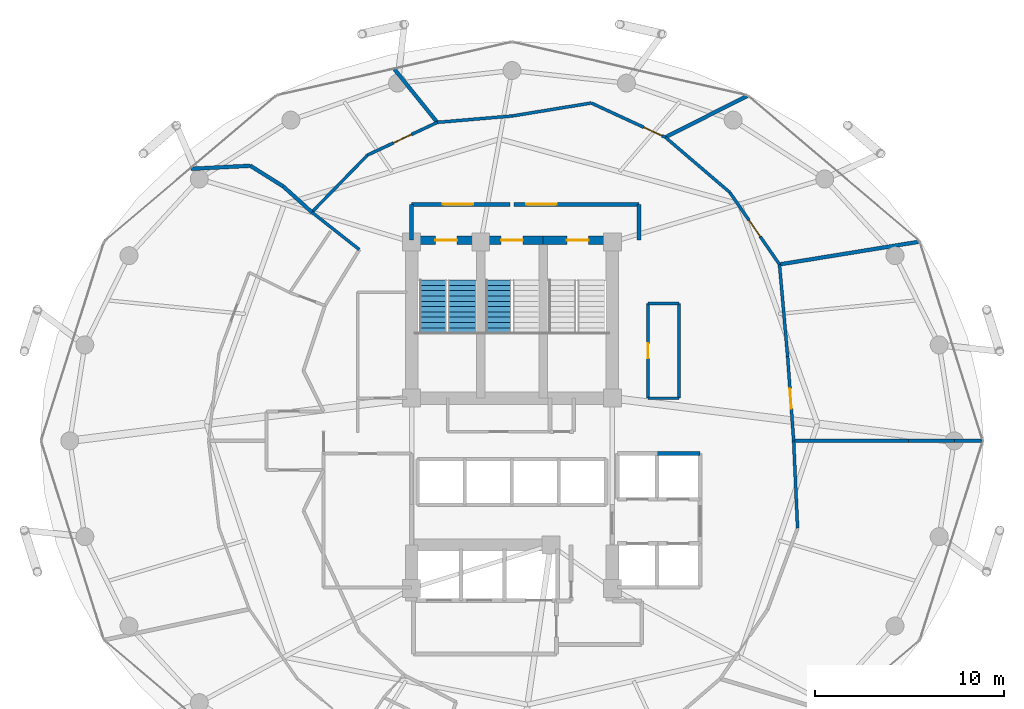
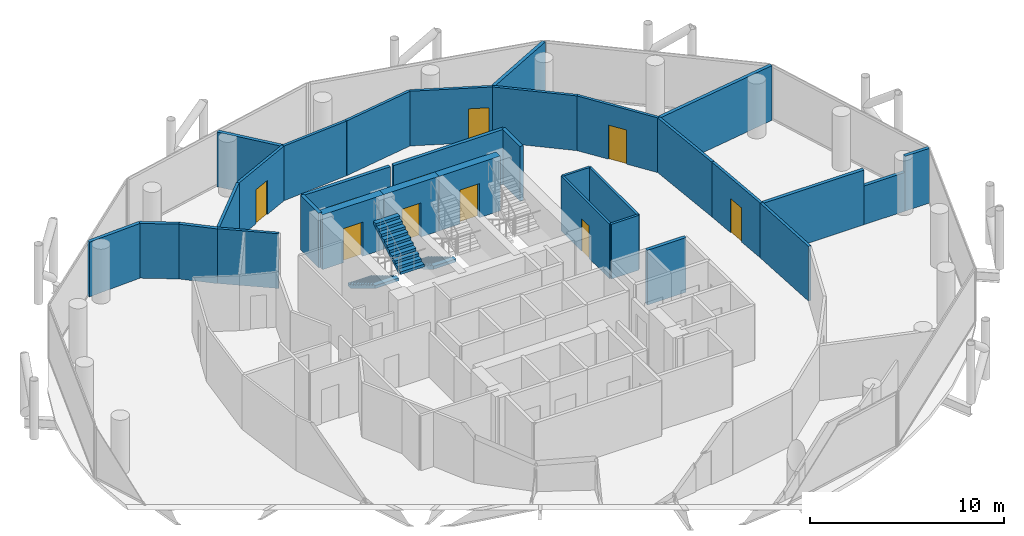
# One storey, part 24 of 26: 32 walls, 10 doors, 3 stair flights, 10 openings, 2 elements without a shape of their own.
"""IFC4 building model written with IfcOpenShell, lengths in metres."""

import ifcopenshell
import ifcopenshell.guid

model = None  # the IFC model being written
_history = None  # IfcOwnerHistory: only IFC2X3 demands one
_inside = {}  # id of a spatial element -> (the spatial element, [elements in it])
_under = {}  # id of a project, library or spatial element -> (it, [spatial elements below it])
_declared = {}  # id of a project -> (the project, [libraries it declares])
_typed = {}  # id of a type object -> (the type object, [elements of that type])
_made_of = {}  # id of a material, layer set ... -> (it, [elements and type objects made of it])


def new_model(schema):
    """Start an empty IFC model of exactly this schema.

    Asked for "IFC4X3", IfcOpenShell would pick the latest addendum, in which some entities
    have other attributes; the version numbers below select the first issue.
    IFC2X3 requires an IfcOwnerHistory on every rooted entity: one is made here for all.
    """
    global model, _history
    if schema == "IFC4X3":
        model = ifcopenshell.file(schema_version=(4, 3, 0, 0))
    else:
        model = ifcopenshell.file(schema=schema)
    _inside.clear()
    _under.clear()
    _declared.clear()
    _typed.clear()
    _made_of.clear()
    _history = None
    if model.schema == "IFC2X3":
        org = make("IfcOrganization", Name="unknown")
        user = make(
            "IfcPersonAndOrganization",
            ThePerson=make("IfcPerson", FamilyName="unknown"),
            TheOrganization=org,
        )
        app = make(
            "IfcApplication",
            ApplicationDeveloper=org,
            Version="unknown",
            ApplicationFullName="unknown",
            ApplicationIdentifier="unknown",
        )
        _history = make(
            "IfcOwnerHistory",
            OwningUser=user,
            OwningApplication=app,
            ChangeAction="ADDED",
            CreationDate=0,
        )
    return model


def make(cls, **values):
    """One entity of the class cls with the attributes given. An attribute that is None is left unset."""
    return model.create_entity(
        cls, **{name: value for name, value in values.items() if value is not None}
    )


def rooted(cls, **values):
    """An entity with a GlobalId (a new one), such as an element, a storey or a relation."""
    return make(cls, GlobalId=ifcopenshell.guid.new(), OwnerHistory=_history, **values)


def si_unit(unit_type, name, prefix=None):
    """IfcSIUnit, for example si_unit("LENGTHUNIT", "METRE", prefix="MILLI")."""
    return make("IfcSIUnit", UnitType=unit_type, Prefix=prefix, Name=name)


def assignment(units):
    """IfcUnitAssignment: the units of a project."""
    return None if units is None else make("IfcUnitAssignment", Units=units)


def point(xyz):
    """IfcCartesianPoint."""
    return None if xyz is None else make("IfcCartesianPoint", Coordinates=xyz)


def direction(xyz):
    """IfcDirection."""
    return None if xyz is None else make("IfcDirection", DirectionRatios=xyz)


def frame(location, z_axis=None, x_axis=None):
    """IfcAxis2Placement3D, a coordinate frame: its origin and axes. An axis left out is left unset."""
    return make(
        "IfcAxis2Placement3D",
        Location=point(location),
        Axis=direction(z_axis),
        RefDirection=direction(x_axis),
    )


def frame_2d(location, x_axis=None):
    """IfcAxis2Placement2D, a coordinate frame in the plane: its origin and x axis."""
    return make(
        "IfcAxis2Placement2D", Location=point(location), RefDirection=direction(x_axis)
    )


def origin():
    """The frame at (0, 0, 0) with its axes left unset."""
    return frame((0.0, 0.0, 0.0))


def place(relative_to, where):
    """IfcLocalPlacement: puts the frame where relative to a parent placement (None: the world)."""
    return make(
        "IfcLocalPlacement", PlacementRelTo=relative_to, RelativePlacement=where
    )


def context(
    kind, dimensions, precision=None, world=None, true_north=None, identifier=None
):
    """IfcGeometricRepresentationContext, for example the 3D "Model" context."""
    return make(
        "IfcGeometricRepresentationContext",
        ContextIdentifier=identifier,
        ContextType=kind,
        CoordinateSpaceDimension=dimensions,
        Precision=precision,
        WorldCoordinateSystem=world,
        TrueNorth=true_north,
    )


def subcontext(parent, identifier, kind, view, scale=None):
    """IfcGeometricRepresentationSubContext, for example "Body" below "Model"."""
    return make(
        "IfcGeometricRepresentationSubContext",
        ContextIdentifier=identifier,
        ContextType=kind,
        ParentContext=parent,
        TargetScale=scale,
        TargetView=view,
    )


def project(units=None, contexts=None):
    """IfcProject with its units and contexts."""
    return rooted(
        "IfcProject",
        Name="project",
        RepresentationContexts=contexts,
        UnitsInContext=assignment(units),
    )


def spatial(cls, under=None, at=None, **own):
    """A site, building, storey or space (cls), placed at a placement, below another one or the project."""
    s = rooted(cls, ObjectPlacement=at, **own)
    if under is not None:
        _under.setdefault(under.id(), (under, []))[1].append(s)
    return s


def polyline(points):
    """IfcPolyline through the points."""
    return make("IfcPolyline", Points=[point(p) for p in points])


def profile(cls, at=None, kind="AREA", **sizes):
    """A parametric profile (cls). Its sizes go by their IFC names, for example OverallWidth=200.0."""
    return make(cls, ProfileType=kind, Position=at, **sizes)


def rectangle(**sizes):
    """IfcRectangleProfileDef."""
    return profile("IfcRectangleProfileDef", **sizes)


def outline(outer, holes=None, kind="AREA"):
    """IfcArbitraryClosedProfileDef: a profile drawn as a closed curve; with holes, ...WithVoids."""
    if holes is None:
        return make("IfcArbitraryClosedProfileDef", ProfileType=kind, OuterCurve=outer)
    return make(
        "IfcArbitraryProfileDefWithVoids",
        ProfileType=kind,
        OuterCurve=outer,
        InnerCurves=holes,
    )


def extrude(swept, where, along, depth):
    """IfcExtrudedAreaSolid: the profile swept, set in the frame where, extruded along a direction by depth."""
    return make(
        "IfcExtrudedAreaSolid",
        SweptArea=swept,
        Position=where,
        ExtrudedDirection=direction(along),
        Depth=depth,
    )


def shape(context_of_items, identifier, shape_type, items):
    """IfcShapeRepresentation: the items that make up one representation, for example the "Body"."""
    return make(
        "IfcShapeRepresentation",
        ContextOfItems=context_of_items,
        RepresentationIdentifier=identifier,
        RepresentationType=shape_type,
        Items=items,
    )


def material(Name=None, Category=None):
    """IfcMaterial."""
    return make("IfcMaterial", Name=Name, Category=Category)


def layer(
    of_material, thickness, ventilated=None, Name=None, Category=None, Priority=None
):
    """IfcMaterialLayer: one layer of a wall or slab, of a material (None: an air gap)."""
    return make(
        "IfcMaterialLayer",
        Material=of_material,
        LayerThickness=thickness,
        IsVentilated=ventilated,
        Name=Name,
        Category=Category,
        Priority=Priority,
    )


def layer_set(layers, Name=None):
    """IfcMaterialLayerSet."""
    return make("IfcMaterialLayerSet", MaterialLayers=layers, LayerSetName=Name)


def made_of(thing, what):
    """Note that an element or type object is made of a material, layer set ...; save() writes the relation."""
    if what is not None:
        _made_of.setdefault(what.id(), (what, []))[1].append(thing)
    return thing


def type_object(cls, material=None, **own):
    """A type object (cls), such as IfcWallType, which elements share."""
    return made_of(rooted(cls, **own), material)


def element(
    cls,
    number,
    at=None,
    inside=None,
    cuts=None,
    type_object=None,
    material=None,
    context=None,
    identifier="Body",
    shape_type=None,
    held_by="IfcProductDefinitionShape",
    body=None,
    shapes=None,
    **own,
):
    """One element of the class cls, such as IfcWall. Its Tag is "e" and its number.

    at: its placement. inside: the storey or other place that contains it. cuts: it is an
    opening in that element (IfcRelVoidsElement). A single representation is given by context,
    identifier, shape_type and body (its items); several are given by shapes. held_by: the class
    of the entity that holds the representations. save() writes the other relations.
    """
    e = rooted(cls, Tag="e%d" % number, ObjectPlacement=at, **own)
    if body is not None:
        shapes = [shape(context, identifier, shape_type, body)]
    if shapes is not None:
        e.Representation = make(held_by, Representations=shapes)
    if inside is not None:
        _inside.setdefault(inside.id(), (inside, []))[1].append(e)
    if cuts is not None:
        rooted(
            "IfcRelVoidsElement", RelatingBuildingElement=cuts, RelatedOpeningElement=e
        )
    if type_object is not None:
        _typed.setdefault(type_object.id(), (type_object, []))[1].append(e)
    return made_of(e, material)


def fill(opening, filler):
    """IfcRelFillsElement: the door or window that sits in an opening."""
    return rooted(
        "IfcRelFillsElement",
        RelatingOpeningElement=opening,
        RelatedBuildingElement=filler,
    )


def aggregate(whole, parts):
    """IfcRelAggregates: a whole, such as a stair, and the parts it consists of."""
    return rooted("IfcRelAggregates", RelatingObject=whole, RelatedObjects=parts)


def save(model, path):
    """Write the relations noted so far, then the file.

    IfcRelAggregates (storeys below a building ...), IfcRelContainedInSpatialStructure (elements
    in a storey), IfcRelDefinesByType, IfcRelAssociatesMaterial and IfcRelDeclares: one each for
    every whole, place, type object, material and project.
    """
    for whole, parts in _under.values():
        aggregate(whole, parts)
    for where, things in _inside.values():
        rooted(
            "IfcRelContainedInSpatialStructure",
            RelatedElements=things,
            RelatingStructure=where,
        )
    for kind, things in _typed.values():
        rooted("IfcRelDefinesByType", RelatedObjects=things, RelatingType=kind)
    for what, things in _made_of.values():
        rooted("IfcRelAssociatesMaterial", RelatedObjects=things, RelatingMaterial=what)
    for by, libraries in _declared.values():
        rooted("IfcRelDeclares", RelatingContext=by, RelatedDefinitions=libraries)
    model.write(path)


model = new_model("IFC4")

# Units and contexts
model_context = context("Model", 3, precision=1e-05, world=origin(), true_north=direction((0.0, 1.0)))
body_context = subcontext(model_context, "Body", "Model", "MODEL_VIEW")
ifc_project = project(units=[si_unit("LENGTHUNIT", "METRE"), si_unit("AREAUNIT", "SQUARE_METRE"), si_unit("VOLUMEUNIT", "CUBIC_METRE"), si_unit("PLANEANGLEUNIT", "RADIAN"), si_unit("MASSUNIT", "GRAM", prefix="KILO")], contexts=[model_context])

# Site, building, storey
site_placement = place(None, origin())
site = spatial("IfcSite", under=ifc_project, at=site_placement, CompositionType="ELEMENT")
building_placement = place(site_placement, origin())
building = spatial("IfcBuilding", under=site, at=building_placement, Name="Nuhasar Tower", CompositionType="ELEMENT")
storey_placement = place(building_placement, frame((0.0, 0.0, 184.85009765625)))
storey = spatial("IfcBuildingStorey", under=building, at=storey_placement, Name="L45", CompositionType="ELEMENT", Elevation=184.85009765625)

# Wall, opening, door
ifc_material_1 = material(Name="Concrete C50/60", Category="concrete")
ifc_layer_1 = layer(ifc_material_1, 0.449951171875)
ifc_layer_set_1 = layer_set([ifc_layer_1], Name="Concrete C50/60")
wall_type_1 = type_object("IfcWallType", Name="WL-CORE-450", PredefinedType="SHEAR", material=ifc_layer_set_1)
wall_1_placement = place(storey_placement, frame((37.35009765625, 37.39990234375, 0.0), z_axis=(0.0, 0.0, 1.0), x_axis=(-1.0, 0.0, 0.0)))
wall_1 = element("IfcWall", 1, at=wall_1_placement, inside=storey, type_object=wall_type_1, Name="L45 Stairwell Shear Wall ST01-N", PredefinedType="SHEAR", context=body_context, shape_type="SweptSolid", body=[
    extrude(rectangle(XDim=3.650146484375, YDim=0.449951171875, at=frame_2d((1.8251953125, 0.0))), origin(), (0.0, 0.0, 1.0), 3.449951171875),
])
opening_1_placement = place(wall_1_placement, frame((1.25, 0.0, 0.0)))
opening_1 = element("IfcOpeningElement", 2, at=opening_1_placement, cuts=wall_1, Name="Opening DS-01", PredefinedType="OPENING", context=body_context, shape_type="SweptSolid", body=[
    extrude(rectangle(XDim=1.14990234375, YDim=2.14990234375, at=frame_2d((0.574951171875, 1.074951171875))), frame((0.0, 0.23486328125, 0.0), z_axis=(0.0, -1.0, 0.0), x_axis=(1.0, 0.0, 0.0)), (0.0, 0.0, 1.0), 0.469970703125),
])
ifc_material_2 = material(Name="Steel S355", Category="steel")
door_type_1 = type_object("IfcDoorType", Name="DR-STAIR-FD120-1150", OperationType="NOTDEFINED", PredefinedType="DOOR", material=ifc_material_2)
door_1_placement = place(opening_1_placement, origin())
door_1 = element("IfcDoor", 3, at=door_1_placement, inside=storey, type_object=door_type_1, Name="L45 Exit Stair ST-01 Door", OperationType="SINGLE_SWING_RIGHT", OverallHeight=2.14990234375, OverallWidth=1.14990234375, PredefinedType="DOOR", context=body_context, shape_type="SweptSolid", body=[
    extrude(rectangle(XDim=1.14990234375, YDim=2.14990234375, at=frame_2d((0.574951171875, 1.074951171875))), frame((0.0, 0.02490234375, 0.0), z_axis=(0.0, -1.0, 0.0), x_axis=(1.0, 0.0, 0.0)), (0.0, 0.0, 1.0), 0.050048828125),
])
fill(opening_1, door_1)

wall_2_placement = place(storey_placement, frame((40.64990234375, 37.39990234375, 0.0), z_axis=(0.0, 0.0, 1.0), x_axis=(-1.0, 0.0, 0.0)))
wall_2 = element("IfcWall", 4, at=wall_2_placement, inside=storey, type_object=wall_type_1, Name="L45 Stairwell Shear Wall ST03-N", PredefinedType="SHEAR", context=body_context, shape_type="SweptSolid", body=[
    extrude(rectangle(XDim=3.2998046875, YDim=0.449951171875, at=frame_2d((1.64990234375, 0.0))), origin(), (0.0, 0.0, 1.0), 3.449951171875),
])
opening_2_placement = place(wall_2_placement, frame((1.074951171875, 0.0, 0.0)))
opening_2 = element("IfcOpeningElement", 5, at=opening_2_placement, cuts=wall_2, Name="Opening DS-01", PredefinedType="OPENING", context=body_context, shape_type="SweptSolid", body=[
    extrude(rectangle(XDim=1.14990234375, YDim=2.14990234375, at=frame_2d((0.574951171875, 1.074951171875))), frame((0.0, 0.23486328125, 0.0), z_axis=(0.0, -1.0, 0.0), x_axis=(1.0, 0.0, 0.0)), (0.0, 0.0, 1.0), 0.469970703125),
])
door_2_placement = place(opening_2_placement, origin())
door_2 = element("IfcDoor", 6, at=door_2_placement, inside=storey, type_object=door_type_1, Name="L45 Exit Stair ST-03 Door", OperationType="SINGLE_SWING_RIGHT", OverallHeight=2.14990234375, OverallWidth=1.14990234375, PredefinedType="DOOR", context=body_context, shape_type="SweptSolid", body=[
    extrude(rectangle(XDim=1.14990234375, YDim=2.14990234375, at=frame_2d((0.574951171875, 1.074951171875))), frame((0.0, 0.02490234375, 0.0), z_axis=(0.0, -1.0, 0.0), x_axis=(1.0, 0.0, 0.0)), (0.0, 0.0, 1.0), 0.050048828125),
])
fill(opening_2, door_2)

wall_3_placement = place(storey_placement, frame((44.300048828125, 37.39990234375, 0.0), z_axis=(0.0, 0.0, 1.0), x_axis=(-1.0, 0.0, 0.0)))
wall_3 = element("IfcWall", 7, at=wall_3_placement, inside=storey, type_object=wall_type_1, Name="L45 Stairwell Shear Wall ST02-N", PredefinedType="SHEAR", context=body_context, shape_type="SweptSolid", body=[
    extrude(rectangle(XDim=3.650146484375, YDim=0.449951171875, at=frame_2d((1.8251953125, 0.0))), origin(), (0.0, 0.0, 1.0), 3.449951171875),
])
opening_3_placement = place(wall_3_placement, frame((1.25, 0.0, 0.0)))
opening_3 = element("IfcOpeningElement", 8, at=opening_3_placement, cuts=wall_3, Name="Opening DS-01", PredefinedType="OPENING", context=body_context, shape_type="SweptSolid", body=[
    extrude(rectangle(XDim=1.14990234375, YDim=2.14990234375, at=frame_2d((0.574951171875, 1.074951171875))), frame((0.0, 0.23486328125, 0.0), z_axis=(0.0, -1.0, 0.0), x_axis=(1.0, 0.0, 0.0)), (0.0, 0.0, 1.0), 0.469970703125),
])
door_3_placement = place(opening_3_placement, origin())
door_3 = element("IfcDoor", 9, at=door_3_placement, inside=storey, type_object=door_type_1, Name="L45 Exit Stair ST-02 Door", OperationType="SINGLE_SWING_LEFT", OverallHeight=2.14990234375, OverallWidth=1.14990234375, PredefinedType="DOOR", context=body_context, shape_type="SweptSolid", body=[
    extrude(rectangle(XDim=1.14990234375, YDim=2.14990234375, at=frame_2d((0.574951171875, 1.074951171875))), frame((0.0, 0.02490234375, 0.0), z_axis=(0.0, -1.0, 0.0), x_axis=(1.0, 0.0, 0.0)), (0.0, 0.0, 1.0), 0.050048828125),
])
fill(opening_3, door_3)

# Wall
ifc_material_3 = material(Name="Gypsum Board", Category="gypsum")
ifc_layer_2 = layer(ifc_material_3, 0.159912109375)
ifc_layer_set_2 = layer_set([ifc_layer_2], Name="Gypsum Board")
wall_type_2 = type_object("IfcWallType", Name="WL-CORR-160", PredefinedType="PARTITIONING", material=ifc_layer_set_2)
wall_4_placement = place(storey_placement, frame((54.077880859375, 22.18505859375, 0.0), z_axis=(0.0, 0.0, 1.0), x_axis=(-0.044973757158, 0.998988168682, 0.0)))
element("IfcWall", 10, at=wall_4_placement, inside=storey, type_object=wall_type_2, Name="L45 Interior Partition CORR-46", PredefinedType="PARTITIONING", context=body_context, shape_type="SweptSolid", body=[
    extrude(rectangle(XDim=4.61962890625, YDim=0.159912109375, at=frame_2d((2.309814453125, 0.0))), origin(), (0.0, 0.0, 1.0), 3.449951171875),
])

# Wall, opening, door
wall_5_placement = place(storey_placement, frame((53.552001953125, 31.25390625, 0.0), z_axis=(0.0, 0.0, 1.0), x_axis=(0.071243164365, -0.997458977368, 0.0)))
wall_5 = element("IfcWall", 11, at=wall_5_placement, inside=storey, type_object=wall_type_2, Name="L45 Interior Partition CORR-00", PredefinedType="PARTITIONING", context=body_context, shape_type="SweptSolid", body=[
    extrude(rectangle(XDim=4.465087890625, YDim=0.159912109375, at=frame_2d((2.232421875, 0.0))), origin(), (0.0, 0.0, 1.0), 3.449951171875),
])
opening_4_placement = place(wall_5_placement, frame((1.7080078125, 0.0, 0.0)))
opening_4 = element("IfcOpeningElement", 12, at=opening_4_placement, cuts=wall_5, Name="Opening DU-01", PredefinedType="OPENING", context=body_context, shape_type="SweptSolid", body=[
    extrude(rectangle(XDim=1.050048828125, YDim=2.14990234375, at=frame_2d((0.52490234375, 1.074951171875))), frame((0.0, 0.08984375, 0.0), z_axis=(0.0, -1.0, 0.0), x_axis=(1.0, 0.0, 0.0)), (0.0, 0.0, 1.0), 0.179931640625),
])
ifc_material_4 = material(Name="Timber Oak", Category="wood")
door_type_2 = type_object("IfcDoorType", Name="DR-SUITE-FD60-1050", OperationType="NOTDEFINED", PredefinedType="DOOR", material=ifc_material_4)
door_4_placement = place(opening_4_placement, origin())
door_4 = element("IfcDoor", 13, at=door_4_placement, inside=storey, type_object=door_type_2, Name="L45 Royal Summit Conference Room 1 Entrance Door", OperationType="SINGLE_SWING_LEFT", OverallHeight=2.14990234375, OverallWidth=1.050048828125, PredefinedType="DOOR", context=body_context, shape_type="SweptSolid", body=[
    extrude(rectangle(XDim=1.050048828125, YDim=2.14990234375, at=frame_2d((0.52490234375, 1.074951171875))), frame((0.0, 0.02490234375, 0.0), z_axis=(0.0, -1.0, 0.0), x_axis=(1.0, 0.0, 0.0)), (0.0, 0.0, 1.0), 0.050048828125),
])
fill(opening_4, door_4)

# Wall
wall_6_placement = place(storey_placement, frame((53.552001953125, 31.25390625, 0.0), z_axis=(0.0, 0.0, 1.0), x_axis=(-0.088134812175, 0.996108555772, 0.0)))
element("IfcWall", 14, at=wall_6_placement, inside=storey, type_object=wall_type_2, Name="L45 Interior Partition CORR-02", PredefinedType="PARTITIONING", context=body_context, shape_type="SweptSolid", body=[
    extrude(rectangle(XDim=4.878173828125, YDim=0.159912109375, at=frame_2d((2.43896484375, 0.0))), origin(), (0.0, 0.0, 1.0), 3.449951171875),
])

# Wall, opening, door
wall_7_placement = place(storey_placement, frame((50.490966796875, 39.926025390625, 0.0), z_axis=(0.0, 0.0, 1.0), x_axis=(0.567945986758, -0.823065827334, 0.0)))
wall_7 = element("IfcWall", 15, at=wall_7_placement, inside=storey, type_object=wall_type_2, Name="L45 Interior Partition CORR-04", PredefinedType="PARTITIONING", context=body_context, shape_type="SweptSolid", body=[
    extrude(rectangle(XDim=4.632568359375, YDim=0.159912109375, at=frame_2d((2.31640625, 0.0))), origin(), (0.0, 0.0, 1.0), 3.449951171875),
])
opening_5_placement = place(wall_7_placement, frame((1.791015625, 0.0, 0.0)))
opening_5 = element("IfcOpeningElement", 16, at=opening_5_placement, cuts=wall_7, Name="Opening DU-01", PredefinedType="OPENING", context=body_context, shape_type="SweptSolid", body=[
    extrude(rectangle(XDim=1.050048828125, YDim=2.14990234375, at=frame_2d((0.52490234375, 1.074951171875))), frame((0.0, 0.08984375, 0.0), z_axis=(0.0, -1.0, 0.0), x_axis=(1.0, 0.0, 0.0)), (0.0, 0.0, 1.0), 0.179931640625),
])
door_5_placement = place(opening_5_placement, origin())
door_5 = element("IfcDoor", 17, at=door_5_placement, inside=storey, type_object=door_type_2, Name="L45 Royal Council Boardroom 2 Entrance Door", OperationType="SINGLE_SWING_LEFT", OverallHeight=2.14990234375, OverallWidth=1.050048828125, PredefinedType="DOOR", context=body_context, shape_type="SweptSolid", body=[
    extrude(rectangle(XDim=1.050048828125, YDim=2.14990234375, at=frame_2d((0.52490234375, 1.074951171875))), frame((0.0, 0.02490234375, 0.0), z_axis=(0.0, -1.0, 0.0), x_axis=(1.0, 0.0, 0.0)), (0.0, 0.0, 1.0), 0.050048828125),
])
fill(opening_5, door_5)

# Wall
wall_8_placement = place(storey_placement, frame((50.490966796875, 39.926025390625, 0.0), z_axis=(0.0, 0.0, 1.0), x_axis=(-0.760182801929, 0.64970924855, 0.0)))
element("IfcWall", 18, at=wall_8_placement, inside=storey, type_object=wall_type_2, Name="L45 Interior Partition CORR-06", PredefinedType="PARTITIONING", context=body_context, shape_type="SweptSolid", body=[
    extrude(rectangle(XDim=4.4619140625, YDim=0.159912109375, at=frame_2d((2.23095703125, 0.0))), origin(), (0.0, 0.0, 1.0), 3.449951171875),
])

# Wall, opening, door
wall_9_placement = place(storey_placement, frame((43.18408203125, 44.635009765625, 0.0), z_axis=(0.0, 0.0, 1.0), x_axis=(0.907684181703, -0.41965393634, 0.0)))
wall_9 = element("IfcWall", 19, at=wall_9_placement, inside=storey, type_object=wall_type_2, Name="L45 Interior Partition CORR-08", PredefinedType="PARTITIONING", context=body_context, shape_type="SweptSolid", body=[
    extrude(rectangle(XDim=4.313232421875, YDim=0.159912109375, at=frame_2d((2.15673828125, 0.0))), origin(), (0.0, 0.0, 1.0), 3.449951171875),
])
opening_6_placement = place(wall_9_placement, frame((3.06298828125, 0.0, 0.0)))
opening_6 = element("IfcOpeningElement", 20, at=opening_6_placement, cuts=wall_9, Name="Opening DU-01", PredefinedType="OPENING", context=body_context, shape_type="SweptSolid", body=[
    extrude(rectangle(XDim=1.050048828125, YDim=2.14990234375, at=frame_2d((0.52490234375, 1.074951171875))), frame((0.0, 0.08984375, 0.0), z_axis=(0.0, -1.0, 0.0), x_axis=(1.0, 0.0, 0.0)), (0.0, 0.0, 1.0), 0.179931640625),
])
door_6_placement = place(opening_6_placement, origin())
door_6 = element("IfcDoor", 21, at=door_6_placement, inside=storey, type_object=door_type_2, Name="L45 Royal Private Banquet Kitchen Entrance Door", OperationType="SINGLE_SWING_RIGHT", OverallHeight=2.14990234375, OverallWidth=1.050048828125, PredefinedType="DOOR", context=body_context, shape_type="SweptSolid", body=[
    extrude(rectangle(XDim=1.050048828125, YDim=2.14990234375, at=frame_2d((0.52490234375, 1.074951171875))), frame((0.0, 0.02490234375, 0.0), z_axis=(0.0, -1.0, 0.0), x_axis=(1.0, 0.0, 0.0)), (0.0, 0.0, 1.0), 0.050048828125),
])
fill(opening_6, door_6)

# Walls
wall_10_placement = place(storey_placement, frame((43.18408203125, 44.635009765625, 0.0), z_axis=(0.0, 0.0, 1.0), x_axis=(-0.986859895673, -0.161578297774, 0.0)))
element("IfcWall", 22, at=wall_10_placement, inside=storey, type_object=wall_type_2, Name="L45 Interior Partition CORR-10", PredefinedType="PARTITIONING", context=body_context, shape_type="SweptSolid", body=[
    extrude(rectangle(XDim=4.23974609375, YDim=0.159912109375, at=frame_2d((2.119873046875, 0.0))), origin(), (0.0, 0.0, 1.0), 3.449951171875),
])
wall_11_placement = place(storey_placement, frame((39.0, 43.949951171875, 0.0), z_axis=(0.0, 0.0, 1.0), x_axis=(-0.996371347496, -0.085112501365, 0.0)))
element("IfcWall", 23, at=wall_11_placement, inside=storey, type_object=wall_type_2, Name="L45 Interior Partition CORR-12", PredefinedType="PARTITIONING", context=body_context, shape_type="SweptSolid", body=[
    extrude(rectangle(XDim=3.95849609375, YDim=0.159912109375, at=frame_2d((1.979248046875, 0.0))), origin(), (0.0, 0.0, 1.0), 3.449951171875),
])

# Wall, opening, door
wall_12_placement = place(storey_placement, frame((31.3740234375, 41.887939453125, 0.0), z_axis=(0.0, 0.0, 1.0), x_axis=(0.905533196688, 0.424275417266, 0.0)))
wall_12 = element("IfcWall", 24, at=wall_12_placement, inside=storey, type_object=wall_type_2, Name="L45 Interior Partition CORR-14", PredefinedType="PARTITIONING", context=body_context, shape_type="SweptSolid", body=[
    extrude(rectangle(XDim=4.06591796875, YDim=0.159912109375, at=frame_2d((2.032958984375, 0.0))), origin(), (0.0, 0.0, 1.0), 3.449951171875),
])
opening_7_placement = place(wall_12_placement, frame((1.508056640625, 0.0, 0.0)))
opening_7 = element("IfcOpeningElement", 25, at=opening_7_placement, cuts=wall_12, Name="Opening DU-01", PredefinedType="OPENING", context=body_context, shape_type="SweptSolid", body=[
    extrude(rectangle(XDim=1.050048828125, YDim=2.14990234375, at=frame_2d((0.52490234375, 1.074951171875))), frame((0.0, 0.08984375, 0.0), z_axis=(0.0, -1.0, 0.0), x_axis=(1.0, 0.0, 0.0)), (0.0, 0.0, 1.0), 0.179931640625),
])
door_7_placement = place(opening_7_placement, origin())
door_7 = element("IfcDoor", 26, at=door_7_placement, inside=storey, type_object=door_type_2, Name="L45 Royal Protocol Office Entrance Door", OperationType="SINGLE_SWING_RIGHT", OverallHeight=2.14990234375, OverallWidth=1.050048828125, PredefinedType="DOOR", context=body_context, shape_type="SweptSolid", body=[
    extrude(rectangle(XDim=1.050048828125, YDim=2.14990234375, at=frame_2d((0.52490234375, 1.074951171875))), frame((0.0, 0.02490234375, 0.0), z_axis=(0.0, -1.0, 0.0), x_axis=(1.0, 0.0, 0.0)), (0.0, 0.0, 1.0), 0.050048828125),
])
fill(opening_7, door_7)

# Walls
wall_13_placement = place(storey_placement, frame((31.3740234375, 41.887939453125, 0.0), z_axis=(0.0, 0.0, 1.0), x_axis=(-0.698421583202, -0.715686587913, 0.0)))
element("IfcWall", 27, at=wall_13_placement, inside=storey, type_object=wall_type_2, Name="L45 Interior Partition CORR-16", PredefinedType="PARTITIONING", context=body_context, shape_type="SweptSolid", body=[
    extrude(rectangle(XDim=4.2138671875, YDim=0.159912109375, at=frame_2d((2.10693359375, 0.0))), origin(), (0.0, 0.0, 1.0), 3.449951171875),
])
wall_14_placement = place(storey_placement, frame((30.93896484375, 36.89697265625, 0.0), z_axis=(0.0, 0.0, 1.0), x_axis=(-0.785635850026, 0.618689187843, 0.0)))
element("IfcWall", 28, at=wall_14_placement, inside=storey, type_object=wall_type_2, Name="L45 Interior Partition HRAD-18-IN", PredefinedType="PARTITIONING", context=body_context, shape_type="SweptSolid", body=[
    extrude(rectangle(XDim=3.1923828125, YDim=0.159912109375, at=frame_2d((1.59619140625, 0.0))), origin(), (0.0, 0.0, 1.0), 3.449951171875),
])
ifc_material_5 = material(Name="Concrete C45/55", Category="concrete")
ifc_layer_3 = layer(ifc_material_5, 0.199951171875)
ifc_layer_set_3 = layer_set([ifc_layer_3], Name="Concrete C45/55")
wall_type_3 = type_object("IfcWallType", Name="WL-LOBBY-200", PredefinedType="SOLIDWALL", material=ifc_layer_set_3)
for number, where, z_axis, x_axis, name in (
    (29, (33.699951171875, 37.39990234375, 0.0), (0.0, 0.0, 1.0), (0.0, 1.0, 0.0), "L45 Interior Partition NSL-W"),
    (30, (45.699951171875, 37.39990234375, 0.0), (0.0, 0.0, 1.0), (0.0, 1.0, 0.0), "L45 Interior Partition NSL-E"),
):
    element("IfcWall", number, at=place(storey_placement, frame(where, z_axis=z_axis, x_axis=x_axis)), inside=storey, type_object=wall_type_3, Name=name, PredefinedType="SOLIDWALL", context=body_context, shape_type="SweptSolid", body=[
        extrude(rectangle(XDim=1.880126953125, YDim=0.199951171875, at=frame_2d((0.93994140625, 0.0))), origin(), (0.0, 0.0, 1.0), 3.449951171875),
    ])

# Wall, opening, door
wall_15_placement = place(storey_placement, frame((38.89990234375, 39.280029296875, 0.0), z_axis=(0.0, 0.0, 1.0), x_axis=(-1.0, 0.0, 0.0)))
wall_15 = element("IfcWall", 31, at=wall_15_placement, inside=storey, type_object=wall_type_3, Name="L45 Interior Partition NSL-N1", PredefinedType="SOLIDWALL", context=body_context, shape_type="SweptSolid", body=[
    extrude(rectangle(XDim=5.199951171875, YDim=0.199951171875, at=frame_2d((2.60009765625, 0.0))), origin(), (0.0, 0.0, 1.0), 3.449951171875),
])
opening_8_placement = place(wall_15_placement, frame((1.949951171875, 0.0, 0.0)))
opening_8 = element("IfcOpeningElement", 32, at=opening_8_placement, cuts=wall_15, Name="Opening DC-01", PredefinedType="OPENING", context=body_context, shape_type="SweptSolid", body=[
    extrude(rectangle(XDim=1.60009765625, YDim=2.199951171875, at=frame_2d((0.800048828125, 1.10009765625))), frame((0.0, 0.10986328125, 0.0), z_axis=(0.0, -1.0, 0.0), x_axis=(1.0, 0.0, 0.0)), (0.0, 0.0, 1.0), 0.219970703125),
])
door_type_3 = type_object("IfcDoorType", Name="DR-CORR-FD60-1600", OperationType="DOUBLE_DOOR_SINGLE_SWING", PredefinedType="DOOR", material=ifc_material_2)
door_8_placement = place(opening_8_placement, origin())
door_8 = element("IfcDoor", 33, at=door_8_placement, inside=storey, type_object=door_type_3, Name="L45 North Stair Lobby West Door", OperationType="DOUBLE_DOOR_SINGLE_SWING", OverallHeight=2.199951171875, OverallWidth=1.60009765625, PredefinedType="DOOR", context=body_context, shape_type="SweptSolid", body=[
    extrude(rectangle(XDim=1.60009765625, YDim=2.199951171875, at=frame_2d((0.800048828125, 1.10009765625))), frame((0.0, 0.02490234375, 0.0), z_axis=(0.0, -1.0, 0.0), x_axis=(1.0, 0.0, 0.0)), (0.0, 0.0, 1.0), 0.050048828125),
])
fill(opening_8, door_8)

wall_16_placement = place(storey_placement, frame((45.699951171875, 39.280029296875, 0.0), z_axis=(0.0, 0.0, 1.0), x_axis=(-1.0, 0.0, 0.0)))
wall_16 = element("IfcWall", 34, at=wall_16_placement, inside=storey, type_object=wall_type_3, Name="L45 Interior Partition NSL-N2", PredefinedType="SOLIDWALL", context=body_context, shape_type="SweptSolid", body=[
    extrude(rectangle(XDim=6.599853515625, YDim=0.199951171875, at=frame_2d((3.2998046875, 0.0))), origin(), (0.0, 0.0, 1.0), 3.449951171875),
])
opening_9_placement = place(wall_16_placement, frame((4.35009765625, 0.0, 0.0)))
opening_9 = element("IfcOpeningElement", 35, at=opening_9_placement, cuts=wall_16, Name="Opening DC-01", PredefinedType="OPENING", context=body_context, shape_type="SweptSolid", body=[
    extrude(rectangle(XDim=1.60009765625, YDim=2.199951171875, at=frame_2d((0.800048828125, 1.10009765625))), frame((0.0, 0.10986328125, 0.0), z_axis=(0.0, -1.0, 0.0), x_axis=(1.0, 0.0, 0.0)), (0.0, 0.0, 1.0), 0.219970703125),
])
door_9_placement = place(opening_9_placement, origin())
door_9 = element("IfcDoor", 36, at=door_9_placement, inside=storey, type_object=door_type_3, Name="L45 North Stair Lobby East Door", OperationType="DOUBLE_DOOR_SINGLE_SWING", OverallHeight=2.199951171875, OverallWidth=1.60009765625, PredefinedType="DOOR", context=body_context, shape_type="SweptSolid", body=[
    extrude(rectangle(XDim=1.60009765625, YDim=2.199951171875, at=frame_2d((0.800048828125, 1.10009765625))), frame((0.0, 0.02490234375, 0.0), z_axis=(0.0, -1.0, 0.0), x_axis=(1.0, 0.0, 0.0)), (0.0, 0.0, 1.0), 0.050048828125),
])
fill(opening_9, door_9)

# Walls
ifc_layer_4 = layer(ifc_material_5, 0.199951171875)
ifc_layer_set_4 = layer_set([ifc_layer_4], Name="Concrete C45/55")
wall_type_4 = type_object("IfcWallType", Name="WL-SHAFT-200", PredefinedType="SOLIDWALL", material=ifc_layer_set_4)
wall_17_placement = place(storey_placement, frame((46.6201171875, 26.1298828125, 0.0), z_axis=(0.0, 0.0, 1.0), x_axis=(1.0, 0.0, 0.0)))
element("IfcWall", 37, at=wall_17_placement, inside=storey, type_object=wall_type_4, Name="L45 Interior Partition SHF-PL-M02-N", PredefinedType="SOLIDWALL", context=body_context, shape_type="SweptSolid", body=[
    extrude(rectangle(XDim=2.309814453125, YDim=0.199951171875, at=frame_2d((1.15478515625, 0.0))), origin(), (0.0, 0.0, 1.0), 3.449951171875),
])
ifc_material_6 = material(Name="Concrete C40/50 precast", Category="concrete")
ifc_layer_5 = layer(ifc_material_6, 0.199951171875)
ifc_layer_set_5 = layer_set([ifc_layer_5], Name="Concrete C40/50 precast")
wall_type_5 = type_object("IfcWallType", Name="WL-UNIT-200", PredefinedType="PARTITIONING", material=ifc_layer_set_5)
wall_18_placement = place(storey_placement, frame((28.430908203125, 38.8720703125, 0.0), z_axis=(0.0, 0.0, 1.0), x_axis=(-0.742576754187, 0.669760975379, 0.0)))
element("IfcWall", 38, at=wall_18_placement, inside=storey, type_object=wall_type_5, Name="L45 Interior Partition HRAD-18-OUT-S1", PredefinedType="PARTITIONING", context=body_context, shape_type="SweptSolid", body=[
    extrude(rectangle(XDim=2.03173828125, YDim=0.199951171875, at=frame_2d((1.015869140625, 0.0))), origin(), (0.0, 0.0, 1.0), 3.449951171875),
])
wall_19_placement = place(storey_placement, frame((26.922119140625, 40.23291015625, 0.0), z_axis=(0.0, 0.0, 1.0), x_axis=(-0.847295877025, 0.53112116958, 0.0)))
element("IfcWall", 39, at=wall_19_placement, inside=storey, type_object=wall_type_5, Name="L45 Interior Partition HRAD-18-OUT-S2", PredefinedType="PARTITIONING", context=body_context, shape_type="SweptSolid", body=[
    extrude(rectangle(XDim=2.052490234375, YDim=0.199951171875, at=frame_2d((1.0263671875, 0.0))), origin(), (0.0, 0.0, 1.0), 3.449951171875),
])
wall_20_placement = place(storey_placement, frame((25.18310546875, 41.322998046875, 0.0), z_axis=(0.0, 0.0, 1.0), x_axis=(-0.9986532157, -0.051882123821, 0.0)))
element("IfcWall", 40, at=wall_20_placement, inside=storey, type_object=wall_type_5, Name="L45 Interior Partition HRAD-18-OUT-S3", PredefinedType="PARTITIONING", context=body_context, shape_type="SweptSolid", body=[
    extrude(rectangle(XDim=3.143310546875, YDim=0.199951171875, at=frame_2d((1.57177734375, 0.0))), origin(), (0.0, 0.0, 1.0), 3.449951171875),
])
wall_21_placement = place(storey_placement, frame((53.8701171875, 26.800048828125, 0.0), z_axis=(0.0, 0.0, 1.0), x_axis=(1.0, 0.0, 0.0)))
element("IfcWall", 41, at=wall_21_placement, inside=storey, type_object=wall_type_5, Name="L45 Interior Partition HRAD-00", PredefinedType="PARTITIONING", context=body_context, shape_type="SweptSolid", body=[
    extrude(rectangle(XDim=6.056884765625, YDim=0.199951171875, at=frame_2d((3.0283203125, 0.0))), origin(), (0.0, 0.0, 1.0), 3.449951171875),
])
wall_22_placement = place(storey_placement, frame((59.927001953125, 26.800048828125, 0.0), z_axis=(0.0, 0.0, 1.0), x_axis=(1.0, 0.0, 0.0)))
element("IfcWall", 42, at=wall_22_placement, inside=storey, type_object=wall_type_5, Name="L45 Interior Partition HRAD-00", PredefinedType="PARTITIONING", context=body_context, shape_type="SweptSolid", body=[
    extrude(rectangle(XDim=2.43505859375, YDim=0.199951171875, at=frame_2d((1.217529296875, 0.0))), origin(), (0.0, 0.0, 1.0), 2.43994140625),
])
wall_23_placement = place(storey_placement, frame((62.362060546875, 26.800048828125, 0.0), z_axis=(0.0, 0.0, 1.0), x_axis=(1.0, 0.0, 0.0)))
element("IfcWall", 43, at=wall_23_placement, inside=storey, type_object=wall_type_5, Name="L45 Interior Partition HRAD-00", PredefinedType="PARTITIONING", context=body_context, shape_type="SweptSolid", body=[
    extrude(rectangle(XDim=1.462890625, YDim=0.199951171875, at=frame_2d((0.7314453125, 0.0))), origin(), (0.0, 0.0, 1.0), 3.449951171875),
])
wall_24_placement = place(storey_placement, frame((53.1220703125, 36.113037109375, 0.0), z_axis=(0.0, 0.0, 1.0), x_axis=(0.987048079656, 0.160424712708, 0.0)))
element("IfcWall", 44, at=wall_24_placement, inside=storey, type_object=wall_type_5, Name="L45 Interior Partition HRAD-04", PredefinedType="PARTITIONING", context=body_context, shape_type="SweptSolid", body=[
    extrude(rectangle(XDim=7.4736328125, YDim=0.199951171875, at=frame_2d((3.73681640625, 0.0))), origin(), (0.0, 0.0, 1.0), 3.449951171875),
])
wall_25_placement = place(storey_placement, frame((47.09912109375, 42.824951171875, 0.0), z_axis=(0.0, 0.0, 1.0), x_axis=(0.892255539141, 0.451530788398, 0.0)))
element("IfcWall", 45, at=wall_25_placement, inside=storey, type_object=wall_type_5, Name="L45 Interior Partition HRAD-08", PredefinedType="PARTITIONING", context=body_context, shape_type="SweptSolid", body=[
    extrude(rectangle(XDim=4.8349609375, YDim=0.199951171875, at=frame_2d((2.41748046875, 0.0))), origin(), (0.0, 0.0, 1.0), 3.449951171875),
])
wall_26_placement = place(storey_placement, frame((35.055908203125, 43.613037109375, 0.0), z_axis=(0.0, 0.0, 1.0), x_axis=(-0.628004145017, 0.778209993409, 0.0)))
element("IfcWall", 46, at=wall_26_placement, inside=storey, type_object=wall_type_5, Name="L45 Interior Partition HRAD-14", PredefinedType="PARTITIONING", context=body_context, shape_type="SweptSolid", body=[
    extrude(rectangle(XDim=3.601806640625, YDim=0.199951171875, at=frame_2d((1.80078125, 0.0))), origin(), (0.0, 0.0, 1.0), 3.449951171875),
])

# Wall, opening, door
ifc_layer_6 = layer(ifc_material_6, 0.139892578125)
ifc_layer_set_6 = layer_set([ifc_layer_6], Name="Concrete C40/50 precast")
wall_type_6 = type_object("IfcWallType", Name="WL-WET-140", PredefinedType="PARTITIONING", material=ifc_layer_set_6)
wall_27_placement = place(storey_placement, frame((46.179931640625, 34.050048828125, 0.0), z_axis=(0.0, 0.0, 1.0), x_axis=(0.0, -1.0, 0.0)))
wall_27 = element("IfcWall", 47, at=wall_27_placement, inside=storey, type_object=wall_type_6, Name="L45 Interior Partition K3-NE-W", PredefinedType="PARTITIONING", context=body_context, shape_type="SweptSolid", body=[
    extrude(rectangle(XDim=5.0, YDim=0.139892578125, at=frame_2d((2.5, 0.0))), origin(), (0.0, 0.0, 1.0), 3.449951171875),
])
opening_10_placement = place(wall_27_placement, frame((2.10009765625, 0.0, 0.0)))
opening_10 = element("IfcOpeningElement", 48, at=opening_10_placement, cuts=wall_27, Name="Opening DM-01", PredefinedType="OPENING", context=body_context, shape_type="SweptSolid", body=[
    extrude(rectangle(XDim=0.800048828125, YDim=2.050048828125, at=frame_2d((0.39990234375, 1.02490234375))), frame((0.0, 0.080078125, 0.0), z_axis=(0.0, -1.0, 0.0), x_axis=(1.0, 0.0, 0.0)), (0.0, 0.0, 1.0), 0.159912109375),
])
door_type_4 = type_object("IfcDoorType", Name="DR-RISER-FD60-800", OperationType="NOTDEFINED", PredefinedType="DOOR", material=ifc_material_2)
door_10_placement = place(opening_10_placement, origin())
door_10 = element("IfcDoor", 49, at=door_10_placement, inside=storey, type_object=door_type_4, Name="L45 NE Switchgear Room Door", OperationType="SINGLE_SWING_RIGHT", OverallHeight=2.050048828125, OverallWidth=0.800048828125, PredefinedType="DOOR", context=body_context, shape_type="SweptSolid", body=[
    extrude(rectangle(XDim=0.800048828125, YDim=2.050048828125, at=frame_2d((0.39990234375, 1.02490234375))), frame((0.0, 0.02490234375, 0.0), z_axis=(0.0, -1.0, 0.0), x_axis=(1.0, 0.0, 0.0)), (0.0, 0.0, 1.0), 0.050048828125),
])
fill(opening_10, door_10)

# Walls
for number, where, z_axis, x_axis, name in (
    (50, (46.179931640625, 29.050048828125, 0.0), (0.0, 0.0, 1.0), (1.0, 0.0, 0.0), "L45 Interior Partition K3-NE-S"),
    (51, (46.179931640625, 34.050048828125, 0.0), (0.0, 0.0, 1.0), (1.0, 0.0, 0.0), "L45 Interior Partition K3-NE-N"),
):
    element("IfcWall", number, at=place(storey_placement, frame(where, z_axis=z_axis, x_axis=x_axis)), inside=storey, type_object=wall_type_6, Name=name, PredefinedType="PARTITIONING", context=body_context, shape_type="SweptSolid", body=[
        extrude(rectangle(XDim=1.64013671875, YDim=0.139892578125, at=frame_2d((0.820068359375, 0.0))), origin(), (0.0, 0.0, 1.0), 3.449951171875),
    ])
wall_28_placement = place(storey_placement, frame((47.820068359375, 29.050048828125, 0.0), z_axis=(0.0, 0.0, 1.0), x_axis=(0.0, 1.0, 0.0)))
element("IfcWall", 52, at=wall_28_placement, inside=storey, type_object=wall_type_6, Name="L45 Interior Partition K3-NE-E", PredefinedType="PARTITIONING", context=body_context, shape_type="SweptSolid", body=[
    extrude(rectangle(XDim=5.0, YDim=0.139892578125, at=frame_2d((2.5, 0.0))), origin(), (0.0, 0.0, 1.0), 3.449951171875),
])

# Stair, stair flights
stair_type_1 = type_object("IfcStairType", Name="STR-ST-01-2F-22R-1682", PredefinedType="HALF_TURN_STAIR", material=ifc_material_5)
stair_1_placement = place(storey_placement, origin())
stair_1 = element("IfcStair", 53, at=stair_1_placement, inside=storey, type_object=stair_type_1, Name="L45 Exit Stair ST-01", PredefinedType="HALF_TURN_STAIR")
stair_flight_type_1 = type_object("IfcStairFlightType", Name="SFL-ST-01-11R-1682", PredefinedType="STRAIGHT", material=ifc_material_5)
stair_flight_1_placement = place(storey_placement, frame((34.830078125, 35.284912109375, 0.0), z_axis=(0.0, 0.0, 1.0), x_axis=(0.0, -1.0, 0.0)))
stair_flight_1 = element("IfcStairFlight", 54, at=stair_flight_1_placement, type_object=stair_flight_type_1, Name="ST-01 flight 1", NumberOfRisers=11, NumberOfTreads=10, PredefinedType="STRAIGHT", RiserHeight=0.168182, TreadLength=0.28, context=body_context, shape_type="SweptSolid", body=[
    extrude(outline(polyline([(0.0, 0.0), (0.0, 0.168212890625), (0.280029296875, 0.168212890625), (0.280029296875, 0.33642578125), (0.56005859375, 0.33642578125), (0.56005859375, 0.504638671875), (0.840087890625, 0.504638671875), (0.840087890625, 0.672607421875), (1.1201171875, 0.672607421875), (1.1201171875, 0.8408203125), (1.39990234375, 0.8408203125), (1.39990234375, 1.009033203125), (1.679931640625, 1.009033203125), (1.679931640625, 1.17724609375), (1.9599609375, 1.17724609375), (1.9599609375, 1.345458984375), (2.239990234375, 1.345458984375), (2.239990234375, 1.513671875), (2.52001953125, 1.513671875), (2.52001953125, 1.681884765625), (2.800048828125, 1.681884765625), (2.800048828125, 1.85009765625), (2.800048828125, 1.495361328125), (0.310546875, 0.0), (0.0, 0.0)])), frame((0.0, 0.7099609375, 0.0), z_axis=(0.0, -1.0, 0.0), x_axis=(1.0, 0.0, 0.0)), (0.0, 0.0, 1.0), 1.419921875),
])
stair_flight_2_placement = place(storey_placement, frame((36.35009765625, 32.485107421875, 1.849853515625), z_axis=(0.0, 0.0, 1.0), x_axis=(0.0, 1.0, 0.0)))
stair_flight_2 = element("IfcStairFlight", 55, at=stair_flight_2_placement, type_object=stair_flight_type_1, Name="ST-01 flight 2", NumberOfRisers=11, NumberOfTreads=10, PredefinedType="STRAIGHT", RiserHeight=0.168182, TreadLength=0.28, context=body_context, shape_type="SweptSolid", body=[
    extrude(outline(polyline([(0.0, 0.0), (0.0, 0.168212890625), (0.280029296875, 0.168212890625), (0.280029296875, 0.33642578125), (0.56005859375, 0.33642578125), (0.56005859375, 0.504638671875), (0.840087890625, 0.504638671875), (0.840087890625, 0.672607421875), (1.1201171875, 0.672607421875), (1.1201171875, 0.8408203125), (1.39990234375, 0.8408203125), (1.39990234375, 1.009033203125), (1.679931640625, 1.009033203125), (1.679931640625, 1.17724609375), (1.9599609375, 1.17724609375), (1.9599609375, 1.345458984375), (2.239990234375, 1.345458984375), (2.239990234375, 1.513671875), (2.52001953125, 1.513671875), (2.52001953125, 1.681884765625), (2.800048828125, 1.681884765625), (2.800048828125, 1.85009765625), (2.800048828125, 1.495361328125), (0.310546875, 0.0), (0.0, 0.0)])), frame((0.0, 0.7099609375, 0.0), z_axis=(0.0, -1.0, 0.0), x_axis=(1.0, 0.0, 0.0)), (0.0, 0.0, 1.0), 1.419921875),
])
aggregate(stair_1, [stair_flight_1, stair_flight_2])

# Stair, stair flight
stair_type_2 = type_object("IfcStairType", Name="STR-ST-03-2F-22R-1682", PredefinedType="HALF_TURN_STAIR", material=ifc_material_5)
stair_2_placement = place(storey_placement, origin())
stair_2 = element("IfcStair", 56, at=stair_2_placement, inside=storey, type_object=stair_type_2, Name="L45 Exit Stair ST-03", PredefinedType="HALF_TURN_STAIR")
stair_flight_type_2 = type_object("IfcStairFlightType", Name="SFL-ST-03-11R-1682", PredefinedType="STRAIGHT", material=ifc_material_5)
stair_flight_3_placement = place(storey_placement, frame((38.280029296875, 35.284912109375, 0.0), z_axis=(0.0, 0.0, 1.0), x_axis=(0.0, -1.0, 0.0)))
stair_flight_3 = element("IfcStairFlight", 57, at=stair_flight_3_placement, type_object=stair_flight_type_2, Name="ST-03 flight 1", NumberOfRisers=11, NumberOfTreads=10, PredefinedType="STRAIGHT", RiserHeight=0.168182, TreadLength=0.28, context=body_context, shape_type="SweptSolid", body=[
    extrude(outline(polyline([(0.0, 0.0), (0.0, 0.168212890625), (0.280029296875, 0.168212890625), (0.280029296875, 0.33642578125), (0.56005859375, 0.33642578125), (0.56005859375, 0.504638671875), (0.840087890625, 0.504638671875), (0.840087890625, 0.672607421875), (1.1201171875, 0.672607421875), (1.1201171875, 0.8408203125), (1.39990234375, 0.8408203125), (1.39990234375, 1.009033203125), (1.679931640625, 1.009033203125), (1.679931640625, 1.17724609375), (1.9599609375, 1.17724609375), (1.9599609375, 1.345458984375), (2.239990234375, 1.345458984375), (2.239990234375, 1.513671875), (2.52001953125, 1.513671875), (2.52001953125, 1.681884765625), (2.800048828125, 1.681884765625), (2.800048828125, 1.85009765625), (2.800048828125, 1.495361328125), (0.310546875, 0.0), (0.0, 0.0)])), frame((0.0, 0.669921875, 0.0), z_axis=(0.0, -1.0, 0.0), x_axis=(1.0, 0.0, 0.0)), (0.0, 0.0, 1.0), 1.340087890625),
])
aggregate(stair_2, [stair_flight_3])

save(model, "model.ifc")
